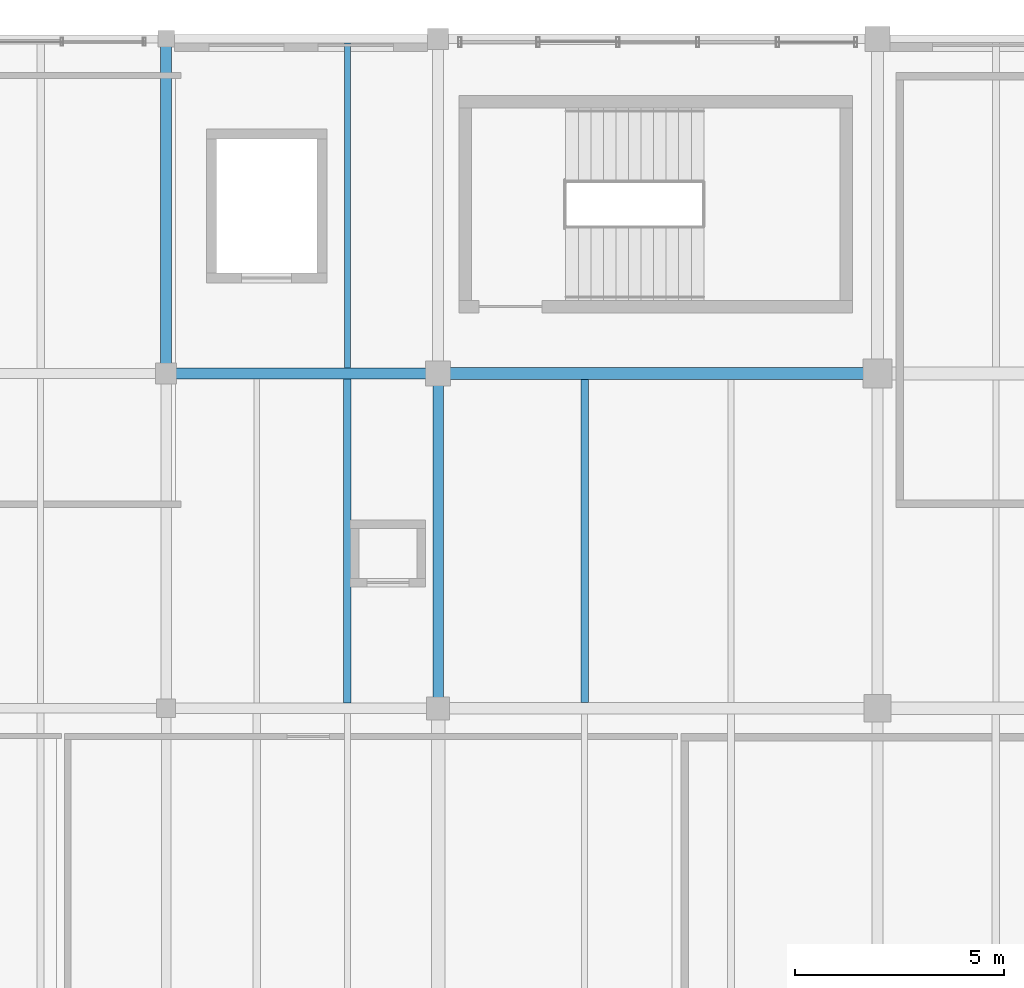
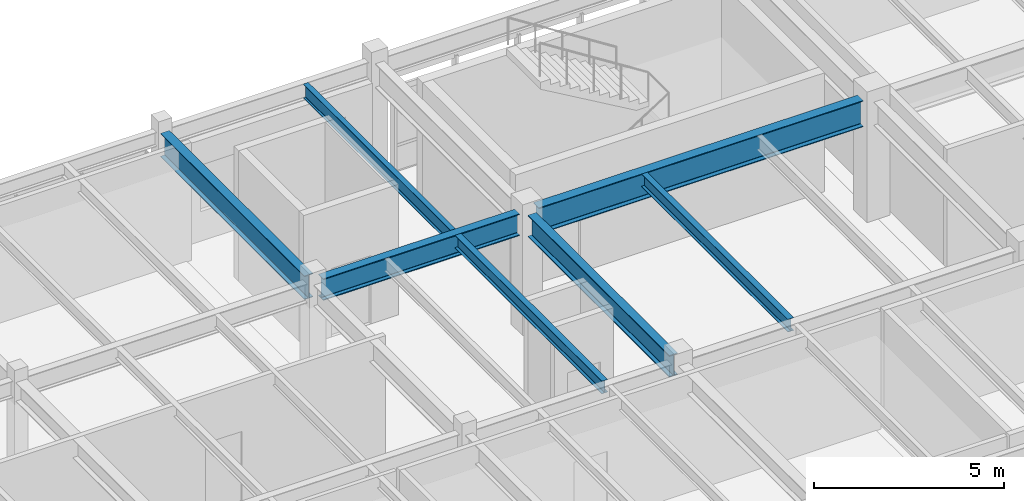
# One storey, part 13 of 56: 7 beams.
"""IFC4 building model written with IfcOpenShell, lengths in metres."""

from ifc_helpers import new_model, si_unit, direction, frame, origin, origin_2d, place, context, subcontext, project, spatial, i_section, extrude, material, material_profile, profile_set, type_object, element, save


model = new_model("IFC4")

# Units and contexts
model_context = context("Model", 3, precision=1e-05, world=origin(), true_north=direction((0.0, 1.0)))
body_context = subcontext(model_context, "Body", "Model", "MODEL_VIEW")
ifc_project = project(units=[si_unit("LENGTHUNIT", "METRE"), si_unit("AREAUNIT", "SQUARE_METRE"), si_unit("VOLUMEUNIT", "CUBIC_METRE"), si_unit("PLANEANGLEUNIT", "RADIAN"), si_unit("MASSUNIT", "GRAM", prefix="KILO"), si_unit("THERMODYNAMICTEMPERATUREUNIT", "KELVIN"), si_unit("POWERUNIT", "WATT")], contexts=[model_context])

# Site, building, storey
site_placement = place(None, origin())
site = spatial("IfcSite", under=ifc_project, at=site_placement, CompositionType="ELEMENT")
building_placement = place(site_placement, origin())
building = spatial("IfcBuilding", under=site, at=building_placement, Name="Tepalcoro Natatorium and Aquatics Centre", CompositionType="ELEMENT")
storey_placement = place(building_placement, frame((0.0, 0.0, 14.800048828125)))
storey = spatial("IfcBuildingStorey", under=building, at=storey_placement, Name="L03", CompositionType="ELEMENT", Elevation=14.800048828125)

# Beams
ifc_material = material(Name="Steel ASTM A992 Grade 50 (Fy 345 MPa)", Category="steel")
ifc_material_profile_1 = material_profile(ifc_material, i_section(OverallWidth=0.25390625, OverallDepth=0.700927734375, WebThickness=0.014892578125, FlangeThickness=0.028076171875, FilletRadius=0.013916015625, at=origin_2d()), Name="W27X129")
ifc_profile_set_1 = profile_set([ifc_material_profile_1], Name="Steel ASTM A992 Grade 50 (Fy 345 MPa)")
beam_type_1 = type_object("IfcBeamType", Name="BM_W27x129", PredefinedType="BEAM", material=ifc_profile_set_1)
beam_1_placement = place(storey_placement, frame((125.235107421875, 110.0, 3.454345703125), z_axis=(1.0, 0.0, 0.0), x_axis=(0.0, 1.0, 0.0)))
element("IfcBeam", 1, at=beam_1_placement, inside=storey, type_object=beam_type_1, Name="V5 L03 Grid Girder X", PredefinedType="BEAM", context=body_context, shape_type="SweptSolid", body=[
    extrude(i_section(OverallWidth=0.25390625, OverallDepth=0.700927734375, WebThickness=0.014892578125, FlangeThickness=0.028076171875, FilletRadius=0.013916015625, at=origin_2d()), origin(), (0.0, 0.0, 1.0), 5.97998046875),
])
beam_2_placement = place(storey_placement, frame((131.5, 102.260009765625, 3.454345703125), z_axis=(0.0, 1.0, 0.0), x_axis=(-1.0, 0.0, 0.0)))
element("IfcBeam", 2, at=beam_2_placement, inside=storey, type_object=beam_type_1, Name="V5 L03 Grid Girder Y", PredefinedType="BEAM", context=body_context, shape_type="SweptSolid", body=[
    extrude(i_section(OverallWidth=0.25390625, OverallDepth=0.700927734375, WebThickness=0.014892578125, FlangeThickness=0.028076171875, FilletRadius=0.013916015625, at=origin_2d()), origin(), (0.0, 0.0, 1.0), 7.455078125),
])
ifc_material_profile_2 = material_profile(ifc_material, i_section(OverallWidth=0.26708984375, OverallDepth=0.761962890625, WebThickness=0.013916015625, FlangeThickness=0.02197265625, FilletRadius=0.013916015625, at=origin_2d()), Name="W30X116")
ifc_profile_set_2 = profile_set([ifc_material_profile_2], Name="Steel ASTM A992 Grade 50 (Fy 345 MPa)")
beam_type_2 = type_object("IfcBeamType", Name="BM_W30x116", PredefinedType="BEAM", material=ifc_profile_set_2)
beam_3_placement = place(storey_placement, frame((125.0, 110.235107421875, 3.424072265625), z_axis=(0.0, 1.0, 0.0), x_axis=(-1.0, 0.0, 0.0)))
element("IfcBeam", 3, at=beam_3_placement, inside=storey, type_object=beam_type_2, Name="V5 L03 Grid Girder Y", PredefinedType="BEAM", context=body_context, shape_type="SweptSolid", body=[
    extrude(i_section(OverallWidth=0.26708984375, OverallDepth=0.761962890625, WebThickness=0.013916015625, FlangeThickness=0.02197265625, FilletRadius=0.013916015625, at=origin_2d()), origin(), (0.0, 0.0, 1.0), 7.579833984375),
])
ifc_material_profile_3 = material_profile(ifc_material, i_section(OverallWidth=0.2919921875, OverallDepth=0.845947265625, WebThickness=0.014892578125, FlangeThickness=0.02392578125, FilletRadius=0.013916015625, at=origin_2d()), Name="W33X141")
ifc_profile_set_3 = profile_set([ifc_material_profile_3], Name="Steel ASTM A992 Grade 50 (Fy 345 MPa)")
beam_type_3 = type_object("IfcBeamType", Name="BM_W33x141", PredefinedType="BEAM", material=ifc_profile_set_3)
beam_4_placement = place(storey_placement, frame((131.784912109375, 110.0, 3.3818359375), z_axis=(1.0, 0.0, 0.0), x_axis=(0.0, 1.0, 0.0)))
element("IfcBeam", 4, at=beam_4_placement, inside=storey, type_object=beam_type_3, Name="V5 L03 Grid Girder X", PredefinedType="BEAM", context=body_context, shape_type="SweptSolid", body=[
    extrude(i_section(OverallWidth=0.2919921875, OverallDepth=0.845947265625, WebThickness=0.014892578125, FlangeThickness=0.02392578125, FilletRadius=0.013916015625, at=origin_2d()), origin(), (0.0, 0.0, 1.0), 9.880126953125),
])
ifc_material_profile_4 = material_profile(ifc_material, i_section(OverallWidth=0.178955078125, OverallDepth=0.409912109375, WebThickness=0.009033203125, FlangeThickness=0.013916015625, FilletRadius=0.013916015625, at=origin_2d()), Name="W16X45")
ifc_profile_set_4 = profile_set([ifc_material_profile_4], Name="Steel ASTM A992 Grade 50 (Fy 345 MPa)")
beam_type_4 = type_object("IfcBeamType", Name="JS_W16x45", PredefinedType="JOIST", material=ifc_profile_set_4)
beam_5_placement = place(storey_placement, frame((129.333251953125, 102.126953125, 3.599853515625), z_axis=(0.0, 1.0, 0.0), x_axis=(-1.0, 0.0, 0.0)))
element("IfcBeam", 5, at=beam_5_placement, inside=storey, type_object=beam_type_4, Name="V5 L03 Floor Joist", PredefinedType="JOIST", context=body_context, shape_type="SweptSolid", body=[
    extrude(i_section(OverallWidth=0.178955078125, OverallDepth=0.409912109375, WebThickness=0.009033203125, FlangeThickness=0.013916015625, FilletRadius=0.013916015625, at=origin_2d()), origin(), (0.0, 0.0, 1.0), 7.74609375),
])
beam_6_placement = place(storey_placement, frame((135.0, 102.133544921875, 3.599853515625), z_axis=(0.0, 1.0, 0.0), x_axis=(-1.0, 0.0, 0.0)))
element("IfcBeam", 6, at=beam_6_placement, inside=storey, type_object=beam_type_4, Name="V5 L03 Floor Joist", PredefinedType="JOIST", context=body_context, shape_type="SweptSolid", body=[
    extrude(i_section(OverallWidth=0.178955078125, OverallDepth=0.409912109375, WebThickness=0.009033203125, FlangeThickness=0.013916015625, FilletRadius=0.013916015625, at=origin_2d()), origin(), (0.0, 0.0, 1.0), 7.720458984375),
])
ifc_material_profile_5 = material_profile(ifc_material, i_section(OverallWidth=0.153076171875, OverallDepth=0.455078125, WebThickness=0.008056640625, FlangeThickness=0.012939453125, FilletRadius=0.013916015625, at=origin_2d()), Name="W18X40")
ifc_profile_set_5 = profile_set([ifc_material_profile_5], Name="Steel ASTM A992 Grade 50 (Fy 345 MPa)")
beam_type_5 = type_object("IfcBeamType", Name="JS_W18x40", PredefinedType="JOIST", material=ifc_profile_set_5)
beam_7_placement = place(storey_placement, frame((129.333251953125, 110.126953125, 3.577392578125), z_axis=(0.0, 1.0, 0.0), x_axis=(-1.0, 0.0, 0.0)))
element("IfcBeam", 7, at=beam_7_placement, inside=storey, type_object=beam_type_5, Name="V5 L03 Floor Joist", PredefinedType="JOIST", context=body_context, shape_type="SweptSolid", body=[
    extrude(i_section(OverallWidth=0.153076171875, OverallDepth=0.455078125, WebThickness=0.008056640625, FlangeThickness=0.012939453125, FilletRadius=0.013916015625, at=origin_2d()), origin(), (0.0, 0.0, 1.0), 7.76806640625),
])

save(model, "model.ifc")
